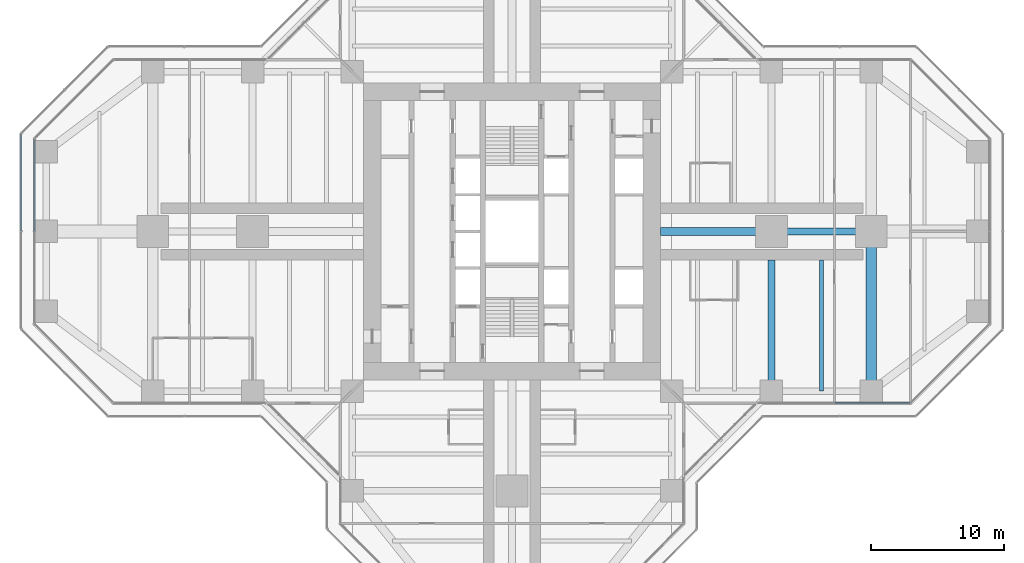
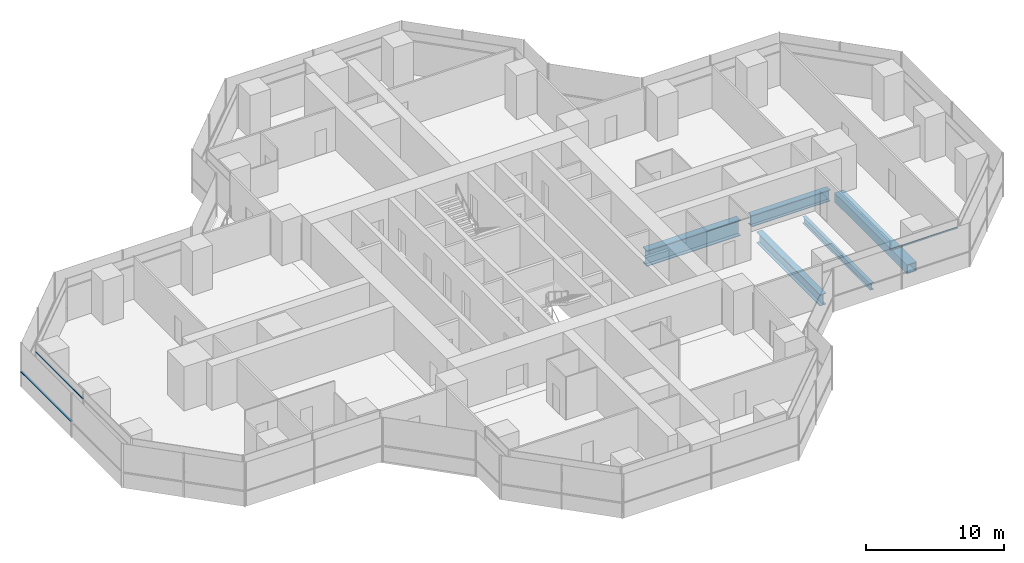
# One storey, part 6 of 19: 5 beams, 3 members, 3 elements without a shape of their own.
"""IFC4 building model written with IfcOpenShell, lengths in metres."""

from ifc_helpers import new_model, si_unit, direction, frame, origin, origin_2d, place, context, subcontext, project, spatial, rectangle, hollow_rectangle, i_section, extrude, material, material_profile, profile_set, type_object, element, aggregate, save


model = new_model("IFC4")

# Units and contexts
model_context = context("Model", 3, precision=1e-05, world=origin(), true_north=direction((0.0, 1.0)))
body_context = subcontext(model_context, "Body", "Model", "MODEL_VIEW")
ifc_project = project(units=[si_unit("LENGTHUNIT", "METRE"), si_unit("AREAUNIT", "SQUARE_METRE"), si_unit("VOLUMEUNIT", "CUBIC_METRE"), si_unit("PLANEANGLEUNIT", "RADIAN"), si_unit("MASSUNIT", "GRAM", prefix="KILO")], contexts=[model_context])

# Site, building, storey
site_placement = place(None, origin())
site = spatial("IfcSite", under=ifc_project, at=site_placement, CompositionType="ELEMENT")
building_placement = place(site_placement, origin())
building = spatial("IfcBuilding", under=site, at=building_placement, Name="Mizan Broadcast Tower", CompositionType="ELEMENT")
storey_placement = place(building_placement, frame((0.0, 0.0, 186.60009765625)))
storey = spatial("IfcBuildingStorey", under=building, at=storey_placement, Name="L43", CompositionType="ELEMENT", Elevation=186.60009765625)

# Beams
ifc_material_1 = material(Name="Steel S460", Category="steel")
ifc_material_profile_1 = material_profile(ifc_material_1, hollow_rectangle(XDim=0.800048828125, YDim=0.800048828125, WallThickness=0.050048828125, at=origin_2d()), Name="BOX 800x800x50")
ifc_profile_set_1 = profile_set([ifc_material_profile_1], Name="Steel S460")
beam_type_1 = type_object("IfcBeamType", Name="GIRDER BOX 800x800x50", PredefinedType="BEAM", material=ifc_profile_set_1)
beam_1_placement = place(storey_placement, frame((27.0, -11.280029296875, -0.530029296875), z_axis=(0.0, 1.0, 0.0), x_axis=(-1.0, 0.0, 0.0)))
element("IfcBeam", 1, at=beam_1_placement, inside=storey, type_object=beam_type_1, Name="Girder BOX 800x800x50 L43 east arm", PredefinedType="BEAM", context=body_context, shape_type="SweptSolid", body=[
    extrude(hollow_rectangle(XDim=0.800048828125, YDim=0.800048828125, WallThickness=0.050048828125, at=origin_2d()), origin(), (0.0, 0.0, 1.0), 10.56005859375),
])
ifc_material_2 = material(Name="Steel S460", Category="steel")
ifc_material_profile_2 = material_profile(ifc_material_2, i_section(OverallWidth=0.5, OverallDepth=1.0, WebThickness=0.02490234375, FlangeThickness=0.050048828125, at=origin_2d()), Name="WPG 1000x500")
ifc_profile_set_2 = profile_set([ifc_material_profile_2], Name="Steel S460")
beam_type_2 = type_object("IfcBeamType", Name="GIRDER WPG 1000x500", PredefinedType="BEAM", material=ifc_profile_set_2)
beam_2_placement = place(storey_placement, frame((19.949951171875, 0.0, -0.630126953125), z_axis=(1.0, 0.0, 0.0), x_axis=(0.0, 1.0, 0.0)))
element("IfcBeam", 2, at=beam_2_placement, inside=storey, type_object=beam_type_2, Name="Girder WPG 1000x500 L43 east arm", PredefinedType="BEAM", context=body_context, shape_type="SweptSolid", body=[
    extrude(i_section(OverallWidth=0.5, OverallDepth=1.0, WebThickness=0.02490234375, FlangeThickness=0.050048828125, at=origin_2d()), origin(), (0.0, 0.0, 1.0), 6.60009765625),
])
beam_3_placement = place(storey_placement, frame((19.5, -11.408935546875, -0.630126953125), z_axis=(0.0, 1.0, 0.0), x_axis=(-1.0, 0.0, 0.0)))
element("IfcBeam", 3, at=beam_3_placement, inside=storey, type_object=beam_type_2, Name="Girder WPG 1000x500 L43 east arm", PredefinedType="BEAM", context=body_context, shape_type="SweptSolid", body=[
    extrude(i_section(OverallWidth=0.5, OverallDepth=1.0, WebThickness=0.02490234375, FlangeThickness=0.050048828125, at=origin_2d()), origin(), (0.0, 0.0, 1.0), 9.259033203125),
])
ifc_material_3 = material(Name="Steel S460", Category="steel")
ifc_material_profile_3 = material_profile(ifc_material_3, i_section(OverallWidth=0.60009765625, OverallDepth=1.39990234375, WebThickness=0.02490234375, FlangeThickness=0.06005859375, at=origin_2d()), Name="WPG 1400x600")
ifc_profile_set_3 = profile_set([ifc_material_profile_3], Name="Steel S460")
beam_type_3 = type_object("IfcBeamType", Name="GIRDER WPG 1400x600", PredefinedType="BEAM", material=ifc_profile_set_3)
beam_4_placement = place(storey_placement, frame((11.14990234375, 0.0, -0.830078125), z_axis=(1.0, 0.0, 0.0), x_axis=(0.0, 1.0, 0.0)))
element("IfcBeam", 4, at=beam_4_placement, inside=storey, type_object=beam_type_3, Name="Girder WPG 1400x600 L43 east arm", PredefinedType="BEAM", context=body_context, shape_type="SweptSolid", body=[
    extrude(i_section(OverallWidth=0.60009765625, OverallDepth=1.39990234375, WebThickness=0.02490234375, FlangeThickness=0.06005859375, at=origin_2d()), origin(), (0.0, 0.0, 1.0), 7.84912109375),
])

# Curtain wall, member
ifc_material_4 = material(Name="Aluminium framed glazing", Category="aluminium")
curtain_wall_type_1 = type_object("IfcCurtainWallType", Name="INNER SKIN MID ZONE", PredefinedType="USERDEFINED", material=ifc_material_4)
curtain_wall_1_placement = place(storey_placement, origin())
curtain_wall_1 = element("IfcCurtainWall", 5, at=curtain_wall_1_placement, inside=storey, type_object=curtain_wall_type_1, Name="Inner skin mid zone L43 E side", ObjectType="INNER SKIN MID ZONE", PredefinedType="USERDEFINED")
ifc_material_5 = material(Name="Aluminium, pale anodised", Category="aluminium")
ifc_material_profile_4 = material_profile(ifc_material_5, rectangle(XDim=0.1201171875, YDim=0.06005859375, at=origin_2d()), Name="TRANSOM 120x60")
ifc_profile_set_4 = profile_set([ifc_material_profile_4], Name="Aluminium, pale anodised")
member_type_1 = type_object("IfcMemberType", Name="INNER SKIN TRANSOM 60x120", PredefinedType="USERDEFINED", material=ifc_profile_set_4)
member_1_placement = place(storey_placement, frame((24.25927734375, -12.89990234375, 3.02978515625), z_axis=(1.0, 0.0, 0.0), x_axis=(0.0, 1.0, 0.0)))
member_1 = element("IfcMember", 6, at=member_1_placement, type_object=member_type_1, Name="Inner skin mid zone L43 E side transom 2.1", ObjectType="TRANSOM", PredefinedType="USERDEFINED", context=body_context, shape_type="SweptSolid", body=[
    extrude(rectangle(XDim=0.1201171875, YDim=0.06005859375, at=origin_2d()), origin(), (0.0, 0.0, 1.0), 5.639404296875),
])
aggregate(curtain_wall_1, [member_1])

curtain_wall_2_placement = place(storey_placement, origin())
curtain_wall_2 = element("IfcCurtainWall", 7, at=curtain_wall_2_placement, inside=storey, type_object=curtain_wall_type_1, Name="Inner skin mid zone L43 W end", ObjectType="INNER SKIN MID ZONE", PredefinedType="USERDEFINED")
member_2_placement = place(storey_placement, frame((-35.89990234375, 6.898681640625, 3.02978515625), z_axis=(0.0, -1.0, 0.0), x_axis=(1.0, 0.0, 0.0)))
member_2 = element("IfcMember", 8, at=member_2_placement, type_object=member_type_1, Name="Inner skin mid zone L43 W end transom 1.1", ObjectType="TRANSOM", PredefinedType="USERDEFINED", context=body_context, shape_type="SweptSolid", body=[
    extrude(rectangle(XDim=0.1201171875, YDim=0.06005859375, at=origin_2d()), origin(), (0.0, 0.0, 1.0), 6.86865234375),
])
aggregate(curtain_wall_2, [member_2])

ifc_material_6 = material(Name="Aluminium framed glazing", Category="aluminium")
curtain_wall_type_2 = type_object("IfcCurtainWallType", Name="OUTER SKIN", PredefinedType="USERDEFINED", material=ifc_material_6)
curtain_wall_3_placement = place(storey_placement, origin())
curtain_wall_3 = element("IfcCurtainWall", 9, at=curtain_wall_3_placement, inside=storey, type_object=curtain_wall_type_2, Name="Outer skin L43 W end", ObjectType="OUTER SKIN", PredefinedType="USERDEFINED")
ifc_material_7 = material(Name="Aluminium, pale anodised", Category="aluminium")
ifc_material_profile_5 = material_profile(ifc_material_7, rectangle(XDim=0.159912109375, YDim=0.06005859375, at=origin_2d()), Name="TRANSOM 160x60")
ifc_profile_set_5 = profile_set([ifc_material_profile_5], Name="Aluminium, pale anodised")
member_type_2 = type_object("IfcMemberType", Name="OUTER SKIN TRANSOM 60x160", PredefinedType="USERDEFINED", material=ifc_profile_set_5)
member_3_placement = place(storey_placement, frame((-36.89990234375, 7.292724609375, 1.39990234375), z_axis=(0.0, -1.0, 0.0), x_axis=(1.0, 0.0, 0.0)))
member_3 = element("IfcMember", 10, at=member_3_placement, type_object=member_type_2, Name="Outer skin L43 W end transom 1.1", ObjectType="TRANSOM", PredefinedType="USERDEFINED", context=body_context, shape_type="SweptSolid", body=[
    extrude(rectangle(XDim=0.159912109375, YDim=0.06005859375, at=origin_2d()), origin(), (0.0, 0.0, 1.0), 7.252685546875),
])
aggregate(curtain_wall_3, [member_3])

# Beam
ifc_material_8 = material(Name="Steel S355", Category="steel")
ifc_material_profile_6 = material_profile(ifc_material_8, i_section(OverallWidth=0.300048828125, OverallDepth=0.590087890625, WebThickness=0.012939453125, FlangeThickness=0.02490234375, FilletRadius=0.027099609375, at=origin_2d()), Name="HEA 600")
ifc_profile_set_6 = profile_set([ifc_material_profile_6], Name="Steel S355")
beam_type_4 = type_object("IfcBeamType", Name="SECONDARY BEAM HEA 600", PredefinedType="JOIST", material=ifc_profile_set_6)
beam_5_placement = place(storey_placement, frame((23.25, -12.0, -0.425048828125), z_axis=(0.0, 1.0, 0.0), x_axis=(-1.0, 0.0, 0.0)))
element("IfcBeam", 11, at=beam_5_placement, inside=storey, type_object=beam_type_4, Name="Secondary beam HEA 600 L43 east arm", PredefinedType="JOIST", context=body_context, shape_type="SweptSolid", body=[
    extrude(i_section(OverallWidth=0.300048828125, OverallDepth=0.590087890625, WebThickness=0.012939453125, FlangeThickness=0.02490234375, FilletRadius=0.027099609375, at=origin_2d()), origin(), (0.0, 0.0, 1.0), 9.85009765625),
])

save(model, "model.ifc")
